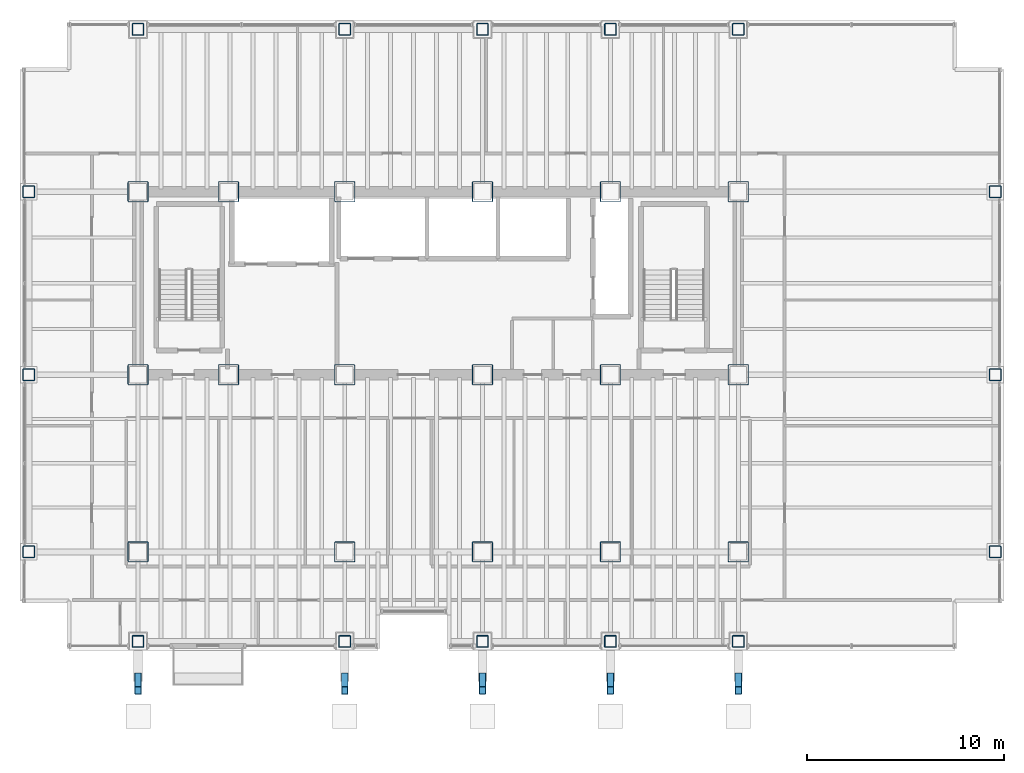
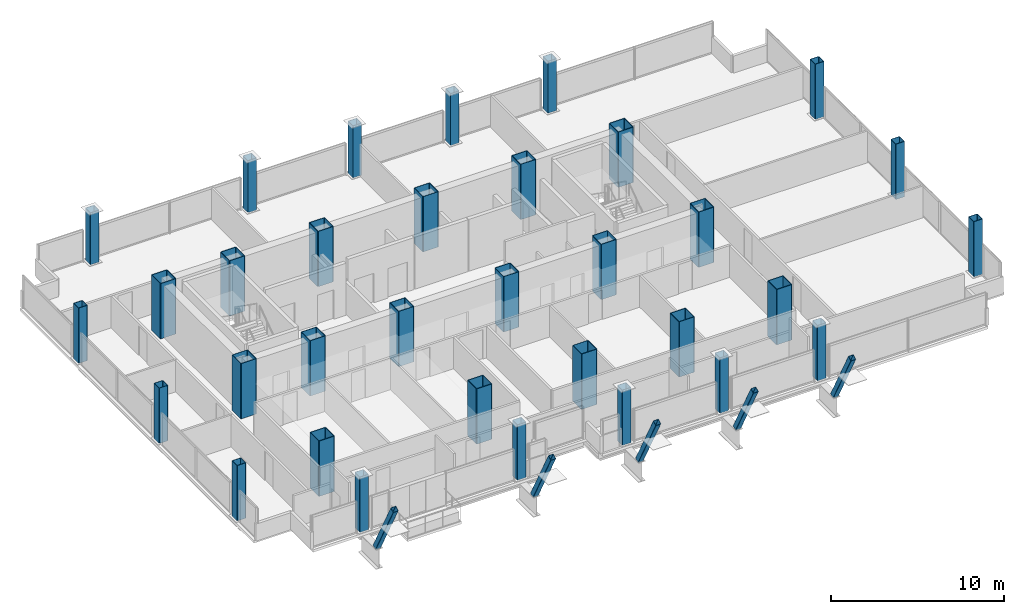
# One storey, part 1 of 21: 38 columns.
"""IFC4 building model written with IfcOpenShell, lengths in metres."""

import ifcopenshell
import ifcopenshell.guid

model = None  # the IFC model being written
_history = None  # IfcOwnerHistory: only IFC2X3 demands one
_inside = {}  # id of a spatial element -> (the spatial element, [elements in it])
_under = {}  # id of a project, library or spatial element -> (it, [spatial elements below it])
_declared = {}  # id of a project -> (the project, [libraries it declares])
_typed = {}  # id of a type object -> (the type object, [elements of that type])
_made_of = {}  # id of a material, layer set ... -> (it, [elements and type objects made of it])


def new_model(schema):
    """Start an empty IFC model of exactly this schema.

    Asked for "IFC4X3", IfcOpenShell would pick the latest addendum, in which some entities
    have other attributes; the version numbers below select the first issue.
    IFC2X3 requires an IfcOwnerHistory on every rooted entity: one is made here for all.
    """
    global model, _history
    if schema == "IFC4X3":
        model = ifcopenshell.file(schema_version=(4, 3, 0, 0))
    else:
        model = ifcopenshell.file(schema=schema)
    _inside.clear()
    _under.clear()
    _declared.clear()
    _typed.clear()
    _made_of.clear()
    _history = None
    if model.schema == "IFC2X3":
        org = make("IfcOrganization", Name="unknown")
        user = make(
            "IfcPersonAndOrganization",
            ThePerson=make("IfcPerson", FamilyName="unknown"),
            TheOrganization=org,
        )
        app = make(
            "IfcApplication",
            ApplicationDeveloper=org,
            Version="unknown",
            ApplicationFullName="unknown",
            ApplicationIdentifier="unknown",
        )
        _history = make(
            "IfcOwnerHistory",
            OwningUser=user,
            OwningApplication=app,
            ChangeAction="ADDED",
            CreationDate=0,
        )
    return model


def make(cls, **values):
    """One entity of the class cls with the attributes given. An attribute that is None is left unset."""
    return model.create_entity(
        cls, **{name: value for name, value in values.items() if value is not None}
    )


def rooted(cls, **values):
    """An entity with a GlobalId (a new one), such as an element, a storey or a relation."""
    return make(cls, GlobalId=ifcopenshell.guid.new(), OwnerHistory=_history, **values)


def si_unit(unit_type, name, prefix=None):
    """IfcSIUnit, for example si_unit("LENGTHUNIT", "METRE", prefix="MILLI")."""
    return make("IfcSIUnit", UnitType=unit_type, Prefix=prefix, Name=name)


def assignment(units):
    """IfcUnitAssignment: the units of a project."""
    return None if units is None else make("IfcUnitAssignment", Units=units)


def point(xyz):
    """IfcCartesianPoint."""
    return None if xyz is None else make("IfcCartesianPoint", Coordinates=xyz)


def direction(xyz):
    """IfcDirection."""
    return None if xyz is None else make("IfcDirection", DirectionRatios=xyz)


def frame(location, z_axis=None, x_axis=None):
    """IfcAxis2Placement3D, a coordinate frame: its origin and axes. An axis left out is left unset."""
    return make(
        "IfcAxis2Placement3D",
        Location=point(location),
        Axis=direction(z_axis),
        RefDirection=direction(x_axis),
    )


def frame_2d(location, x_axis=None):
    """IfcAxis2Placement2D, a coordinate frame in the plane: its origin and x axis."""
    return make(
        "IfcAxis2Placement2D", Location=point(location), RefDirection=direction(x_axis)
    )


def origin():
    """The frame at (0, 0, 0) with its axes left unset."""
    return frame((0.0, 0.0, 0.0))


def origin_2d():
    """The frame at (0, 0) in the plane with its x axis left unset."""
    return frame_2d((0.0, 0.0))


def place(relative_to, where):
    """IfcLocalPlacement: puts the frame where relative to a parent placement (None: the world)."""
    return make(
        "IfcLocalPlacement", PlacementRelTo=relative_to, RelativePlacement=where
    )


def context(
    kind, dimensions, precision=None, world=None, true_north=None, identifier=None
):
    """IfcGeometricRepresentationContext, for example the 3D "Model" context."""
    return make(
        "IfcGeometricRepresentationContext",
        ContextIdentifier=identifier,
        ContextType=kind,
        CoordinateSpaceDimension=dimensions,
        Precision=precision,
        WorldCoordinateSystem=world,
        TrueNorth=true_north,
    )


def subcontext(parent, identifier, kind, view, scale=None):
    """IfcGeometricRepresentationSubContext, for example "Body" below "Model"."""
    return make(
        "IfcGeometricRepresentationSubContext",
        ContextIdentifier=identifier,
        ContextType=kind,
        ParentContext=parent,
        TargetScale=scale,
        TargetView=view,
    )


def project(units=None, contexts=None):
    """IfcProject with its units and contexts."""
    return rooted(
        "IfcProject",
        Name="project",
        RepresentationContexts=contexts,
        UnitsInContext=assignment(units),
    )


def spatial(cls, under=None, at=None, **own):
    """A site, building, storey or space (cls), placed at a placement, below another one or the project."""
    s = rooted(cls, ObjectPlacement=at, **own)
    if under is not None:
        _under.setdefault(under.id(), (under, []))[1].append(s)
    return s


def profile(cls, at=None, kind="AREA", **sizes):
    """A parametric profile (cls). Its sizes go by their IFC names, for example OverallWidth=200.0."""
    return make(cls, ProfileType=kind, Position=at, **sizes)


def hollow_rectangle(**sizes):
    """IfcRectangleHollowProfileDef."""
    return profile("IfcRectangleHollowProfileDef", **sizes)


def extrude(swept, where, along, depth):
    """IfcExtrudedAreaSolid: the profile swept, set in the frame where, extruded along a direction by depth."""
    return make(
        "IfcExtrudedAreaSolid",
        SweptArea=swept,
        Position=where,
        ExtrudedDirection=direction(along),
        Depth=depth,
    )


def shape(context_of_items, identifier, shape_type, items):
    """IfcShapeRepresentation: the items that make up one representation, for example the "Body"."""
    return make(
        "IfcShapeRepresentation",
        ContextOfItems=context_of_items,
        RepresentationIdentifier=identifier,
        RepresentationType=shape_type,
        Items=items,
    )


def material(Name=None, Category=None):
    """IfcMaterial."""
    return make("IfcMaterial", Name=Name, Category=Category)


def material_profile(
    of_material, cross_section, Name=None, Category=None, Priority=None
):
    """IfcMaterialProfile: a cross section and its material."""
    return make(
        "IfcMaterialProfile",
        Name=Name,
        Material=of_material,
        Profile=cross_section,
        Priority=Priority,
        Category=Category,
    )


def profile_set(profiles, Name=None, composite=None):
    """IfcMaterialProfileSet."""
    return make(
        "IfcMaterialProfileSet",
        Name=Name,
        MaterialProfiles=profiles,
        CompositeProfile=composite,
    )


def made_of(thing, what):
    """Note that an element or type object is made of a material, layer set ...; save() writes the relation."""
    if what is not None:
        _made_of.setdefault(what.id(), (what, []))[1].append(thing)
    return thing


def type_object(cls, material=None, **own):
    """A type object (cls), such as IfcWallType, which elements share."""
    return made_of(rooted(cls, **own), material)


def element(
    cls,
    number,
    at=None,
    inside=None,
    cuts=None,
    type_object=None,
    material=None,
    context=None,
    identifier="Body",
    shape_type=None,
    held_by="IfcProductDefinitionShape",
    body=None,
    shapes=None,
    **own,
):
    """One element of the class cls, such as IfcWall. Its Tag is "e" and its number.

    at: its placement. inside: the storey or other place that contains it. cuts: it is an
    opening in that element (IfcRelVoidsElement). A single representation is given by context,
    identifier, shape_type and body (its items); several are given by shapes. held_by: the class
    of the entity that holds the representations. save() writes the other relations.
    """
    e = rooted(cls, Tag="e%d" % number, ObjectPlacement=at, **own)
    if body is not None:
        shapes = [shape(context, identifier, shape_type, body)]
    if shapes is not None:
        e.Representation = make(held_by, Representations=shapes)
    if inside is not None:
        _inside.setdefault(inside.id(), (inside, []))[1].append(e)
    if cuts is not None:
        rooted(
            "IfcRelVoidsElement", RelatingBuildingElement=cuts, RelatedOpeningElement=e
        )
    if type_object is not None:
        _typed.setdefault(type_object.id(), (type_object, []))[1].append(e)
    return made_of(e, material)


def aggregate(whole, parts):
    """IfcRelAggregates: a whole, such as a stair, and the parts it consists of."""
    return rooted("IfcRelAggregates", RelatingObject=whole, RelatedObjects=parts)


def save(model, path):
    """Write the relations noted so far, then the file.

    IfcRelAggregates (storeys below a building ...), IfcRelContainedInSpatialStructure (elements
    in a storey), IfcRelDefinesByType, IfcRelAssociatesMaterial and IfcRelDeclares: one each for
    every whole, place, type object, material and project.
    """
    for whole, parts in _under.values():
        aggregate(whole, parts)
    for where, things in _inside.values():
        rooted(
            "IfcRelContainedInSpatialStructure",
            RelatedElements=things,
            RelatingStructure=where,
        )
    for kind, things in _typed.values():
        rooted("IfcRelDefinesByType", RelatedObjects=things, RelatingType=kind)
    for what, things in _made_of.values():
        rooted("IfcRelAssociatesMaterial", RelatedObjects=things, RelatingMaterial=what)
    for by, libraries in _declared.values():
        rooted("IfcRelDeclares", RelatingContext=by, RelatedDefinitions=libraries)
    model.write(path)


model = new_model("IFC4")

# Units and contexts
model_context = context("Model", 3, precision=1e-05, world=origin(), true_north=direction((0.0, 1.0)))
body_context = subcontext(model_context, "Body", "Model", "MODEL_VIEW")
ifc_project = project(units=[si_unit("LENGTHUNIT", "METRE"), si_unit("AREAUNIT", "SQUARE_METRE"), si_unit("VOLUMEUNIT", "CUBIC_METRE"), si_unit("PLANEANGLEUNIT", "RADIAN"), si_unit("MASSUNIT", "GRAM", prefix="KILO")], contexts=[model_context])

# Site, building, storey
site_placement = place(None, origin())
site = spatial("IfcSite", under=ifc_project, at=site_placement, CompositionType="ELEMENT")
building_placement = place(site_placement, origin())
building = spatial("IfcBuilding", under=site, at=building_placement, Name="Noeulbin Bourse Tower", CompositionType="ELEMENT")
storey_placement = place(building_placement, frame((0.0, 0.0, 77.199951171875)))
storey = spatial("IfcBuildingStorey", under=building, at=storey_placement, Name="L19", CompositionType="ELEMENT", Elevation=77.199951171875)

# Columns
ifc_material_1 = material(Name="Steel S355", Category="steel")
ifc_material_profile_1 = material_profile(ifc_material_1, hollow_rectangle(XDim=0.35009765625, YDim=0.35009765625, WallThickness=0.01611328125, InnerFilletRadius=0.01611328125, OuterFilletRadius=0.031982421875, at=origin_2d()), Name="SHS-350x350x16", Category="LoadBearing")
ifc_profile_set_1 = profile_set([ifc_material_profile_1], Name="Steel S355")
column_type_1 = type_object("IfcColumnType", Name="COL-CRN-Z5", PredefinedType="COLUMN", material=ifc_profile_set_1)
for number, where, z_axis, x_axis, name in (
    (1, (13.5, 13.699951171875, -0.199951171875), (0.0, -0.469042229226, 0.883175739704), (1.0, 0.0, 0.0), "Exoskeleton Raking Prop Column L19-01"),
    (2, (24.0, 13.699951171875, -0.199951171875), (0.0, -0.469042229226, 0.883175739704), (1.0, 0.0, 0.0), "Exoskeleton Raking Prop Column L19-02"),
    (3, (31.0, 13.699951171875, -0.199951171875), (0.0, -0.469042229226, 0.883175739704), (1.0, 0.0, 0.0), "Exoskeleton Raking Prop Column L19-03"),
    (4, (37.5, 13.699951171875, -0.199951171875), (0.0, -0.469042229226, 0.883175739704), (1.0, 0.0, 0.0), "Exoskeleton Raking Prop Column L19-04"),
    (5, (44.0, 13.699951171875, -0.199951171875), (0.0, -0.469042229226, 0.883175739704), (1.0, 0.0, 0.0), "Exoskeleton Raking Prop Column L19-05"),
):
    element("IfcColumn", number, at=place(storey_placement, frame(where, z_axis=z_axis, x_axis=x_axis)), inside=storey, type_object=column_type_1, Name=name, PredefinedType="COLUMN", context=body_context, shape_type="SweptSolid", body=[
        extrude(hollow_rectangle(XDim=0.35009765625, YDim=0.35009765625, WallThickness=0.01611328125, InnerFilletRadius=0.01611328125, OuterFilletRadius=0.031982421875, at=origin_2d()), origin(), (0.0, 0.0, 1.0), 4.37060546875),
    ])
ifc_material_2 = material(Name="Steel S460", Category="steel")
ifc_material_profile_2 = material_profile(ifc_material_2, hollow_rectangle(XDim=0.60009765625, YDim=0.60009765625, WallThickness=0.02587890625, InnerFilletRadius=0.012939453125, OuterFilletRadius=0.0390625, at=origin_2d()), Name="BOX-600x600x26", Category="LoadBearing")
ifc_profile_set_2 = profile_set([ifc_material_profile_2], Name="Steel S460")
column_type_2 = type_object("IfcColumnType", Name="COL-PER-Z1", PredefinedType="COLUMN", material=ifc_profile_set_2)
for number, where, z_axis, x_axis, name in (
    (6, (7.949951171875, 20.0, 0.0), (0.0, 0.0, 1.0), (1.0, 0.0, 0.0), "Tower Perimeter Column COL-PER-Z1 01"),
    (7, (7.949951171875, 29.0, 0.0), (0.0, 0.0, 1.0), (1.0, 0.0, 0.0), "Tower Perimeter Column COL-PER-Z1 02"),
    (8, (7.949951171875, 38.300048828125, 0.0), (0.0, 0.0, 1.0), (1.0, 0.0, 0.0), "Tower Perimeter Column COL-PER-Z1 03"),
    (9, (13.5, 15.449951171875, 0.0), (0.0, 0.0, 1.0), (1.0, 0.0, 0.0), "Tower Perimeter Column COL-PER-Z1 04"),
):
    element("IfcColumn", number, at=place(storey_placement, frame(where, z_axis=z_axis, x_axis=x_axis)), inside=storey, type_object=column_type_2, Name=name, PredefinedType="COLUMN", context=body_context, shape_type="SweptSolid", body=[
        extrude(hollow_rectangle(XDim=0.60009765625, YDim=0.60009765625, WallThickness=0.02587890625, InnerFilletRadius=0.012939453125, OuterFilletRadius=0.0390625, at=origin_2d()), origin(), (0.0, 0.0, 1.0), 3.900146484375),
    ])
column_1_placement = place(storey_placement, frame((13.5, 46.550048828125, 0.0), z_axis=(0.0, 0.0, 1.0), x_axis=(1.0, 0.0, 0.0)))
element("IfcColumn", 10, at=column_1_placement, inside=storey, type_object=column_type_2, Name="Tower Perimeter Column COL-PER-Z1 05", PredefinedType="COLUMN", context=body_context, shape_type="SweptSolid", body=[
    extrude(hollow_rectangle(XDim=0.60009765625, YDim=0.60009765625, WallThickness=0.02587890625, InnerFilletRadius=0.012939453125, OuterFilletRadius=0.0390625, at=origin_2d()), origin(), (0.0, 0.0, 1.0), 3.66015625),
])
column_2_placement = place(storey_placement, frame((24.0, 15.449951171875, 0.0), z_axis=(0.0, 0.0, 1.0), x_axis=(1.0, 0.0, 0.0)))
element("IfcColumn", 11, at=column_2_placement, inside=storey, type_object=column_type_2, Name="Tower Perimeter Column COL-PER-Z1 06", PredefinedType="COLUMN", context=body_context, shape_type="SweptSolid", body=[
    extrude(hollow_rectangle(XDim=0.60009765625, YDim=0.60009765625, WallThickness=0.02587890625, InnerFilletRadius=0.012939453125, OuterFilletRadius=0.0390625, at=origin_2d()), origin(), (0.0, 0.0, 1.0), 3.900146484375),
])
column_3_placement = place(storey_placement, frame((24.0, 46.550048828125, 0.0), z_axis=(0.0, 0.0, 1.0), x_axis=(1.0, 0.0, 0.0)))
element("IfcColumn", 12, at=column_3_placement, inside=storey, type_object=column_type_2, Name="Tower Perimeter Column COL-PER-Z1 07", PredefinedType="COLUMN", context=body_context, shape_type="SweptSolid", body=[
    extrude(hollow_rectangle(XDim=0.60009765625, YDim=0.60009765625, WallThickness=0.02587890625, InnerFilletRadius=0.012939453125, OuterFilletRadius=0.0390625, at=origin_2d()), origin(), (0.0, 0.0, 1.0), 3.66015625),
])
column_4_placement = place(storey_placement, frame((31.0, 15.449951171875, 0.0), z_axis=(0.0, 0.0, 1.0), x_axis=(1.0, 0.0, 0.0)))
element("IfcColumn", 13, at=column_4_placement, inside=storey, type_object=column_type_2, Name="Tower Perimeter Column COL-PER-Z1 08", PredefinedType="COLUMN", context=body_context, shape_type="SweptSolid", body=[
    extrude(hollow_rectangle(XDim=0.60009765625, YDim=0.60009765625, WallThickness=0.02587890625, InnerFilletRadius=0.012939453125, OuterFilletRadius=0.0390625, at=origin_2d()), origin(), (0.0, 0.0, 1.0), 3.900146484375),
])
column_5_placement = place(storey_placement, frame((31.0, 46.550048828125, 0.0), z_axis=(0.0, 0.0, 1.0), x_axis=(1.0, 0.0, 0.0)))
element("IfcColumn", 14, at=column_5_placement, inside=storey, type_object=column_type_2, Name="Tower Perimeter Column COL-PER-Z1 09", PredefinedType="COLUMN", context=body_context, shape_type="SweptSolid", body=[
    extrude(hollow_rectangle(XDim=0.60009765625, YDim=0.60009765625, WallThickness=0.02587890625, InnerFilletRadius=0.012939453125, OuterFilletRadius=0.0390625, at=origin_2d()), origin(), (0.0, 0.0, 1.0), 3.66015625),
])
column_6_placement = place(storey_placement, frame((37.5, 15.449951171875, 0.0), z_axis=(0.0, 0.0, 1.0), x_axis=(1.0, 0.0, 0.0)))
element("IfcColumn", 15, at=column_6_placement, inside=storey, type_object=column_type_2, Name="Tower Perimeter Column COL-PER-Z1 10", PredefinedType="COLUMN", context=body_context, shape_type="SweptSolid", body=[
    extrude(hollow_rectangle(XDim=0.60009765625, YDim=0.60009765625, WallThickness=0.02587890625, InnerFilletRadius=0.012939453125, OuterFilletRadius=0.0390625, at=origin_2d()), origin(), (0.0, 0.0, 1.0), 3.900146484375),
])
column_7_placement = place(storey_placement, frame((37.5, 46.550048828125, 0.0), z_axis=(0.0, 0.0, 1.0), x_axis=(1.0, 0.0, 0.0)))
element("IfcColumn", 16, at=column_7_placement, inside=storey, type_object=column_type_2, Name="Tower Perimeter Column COL-PER-Z1 11", PredefinedType="COLUMN", context=body_context, shape_type="SweptSolid", body=[
    extrude(hollow_rectangle(XDim=0.60009765625, YDim=0.60009765625, WallThickness=0.02587890625, InnerFilletRadius=0.012939453125, OuterFilletRadius=0.0390625, at=origin_2d()), origin(), (0.0, 0.0, 1.0), 3.66015625),
])
column_8_placement = place(storey_placement, frame((44.0, 15.449951171875, 0.0), z_axis=(0.0, 0.0, 1.0), x_axis=(1.0, 0.0, 0.0)))
element("IfcColumn", 17, at=column_8_placement, inside=storey, type_object=column_type_2, Name="Tower Perimeter Column COL-PER-Z1 12", PredefinedType="COLUMN", context=body_context, shape_type="SweptSolid", body=[
    extrude(hollow_rectangle(XDim=0.60009765625, YDim=0.60009765625, WallThickness=0.02587890625, InnerFilletRadius=0.012939453125, OuterFilletRadius=0.0390625, at=origin_2d()), origin(), (0.0, 0.0, 1.0), 3.900146484375),
])
column_9_placement = place(storey_placement, frame((44.0, 46.550048828125, 0.0), z_axis=(0.0, 0.0, 1.0), x_axis=(1.0, 0.0, 0.0)))
element("IfcColumn", 18, at=column_9_placement, inside=storey, type_object=column_type_2, Name="Tower Perimeter Column COL-PER-Z1 13", PredefinedType="COLUMN", context=body_context, shape_type="SweptSolid", body=[
    extrude(hollow_rectangle(XDim=0.60009765625, YDim=0.60009765625, WallThickness=0.02587890625, InnerFilletRadius=0.012939453125, OuterFilletRadius=0.0390625, at=origin_2d()), origin(), (0.0, 0.0, 1.0), 3.66015625),
])
for number, where, z_axis, x_axis, name in (
    (19, (57.050048828125, 20.0, 0.0), (0.0, 0.0, 1.0), (1.0, 0.0, 0.0), "Tower Perimeter Column COL-PER-Z1 14"),
    (20, (57.050048828125, 29.0, 0.0), (0.0, 0.0, 1.0), (1.0, 0.0, 0.0), "Tower Perimeter Column COL-PER-Z1 15"),
    (21, (57.050048828125, 38.300048828125, 0.0), (0.0, 0.0, 1.0), (1.0, 0.0, 0.0), "Tower Perimeter Column COL-PER-Z1 16"),
):
    element("IfcColumn", number, at=place(storey_placement, frame(where, z_axis=z_axis, x_axis=x_axis)), inside=storey, type_object=column_type_2, Name=name, PredefinedType="COLUMN", context=body_context, shape_type="SweptSolid", body=[
        extrude(hollow_rectangle(XDim=0.60009765625, YDim=0.60009765625, WallThickness=0.02587890625, InnerFilletRadius=0.012939453125, OuterFilletRadius=0.0390625, at=origin_2d()), origin(), (0.0, 0.0, 1.0), 3.900146484375),
    ])
ifc_material_profile_3 = material_profile(ifc_material_2, hollow_rectangle(XDim=1.050048828125, YDim=1.050048828125, WallThickness=0.0380859375, InnerFilletRadius=0.01904296875, OuterFilletRadius=0.056884765625, at=origin_2d()), Name="BOX-1050x1050x38", Category="LoadBearing")
ifc_profile_set_3 = profile_set([ifc_material_profile_3], Name="Steel S460")
column_type_3 = type_object("IfcColumnType", Name="COL-TRK-Z1", PredefinedType="COLUMN", material=ifc_profile_set_3)
for number, where, z_axis, x_axis, name in (
    (22, (13.5, 29.0, 0.0), (0.0, 0.0, 1.0), (1.0, 0.0, 0.0), "Tower Trunk Mega-Column COL-TRK-Z1 01"),
    (23, (13.5, 38.300048828125, 0.0), (0.0, 0.0, 1.0), (1.0, 0.0, 0.0), "Tower Trunk Mega-Column COL-TRK-Z1 02"),
    (24, (18.10009765625, 29.0, 0.0), (0.0, 0.0, 1.0), (1.0, 0.0, 0.0), "Tower Trunk Mega-Column COL-TRK-Z1 03"),
    (25, (18.10009765625, 38.300048828125, 0.0), (0.0, 0.0, 1.0), (1.0, 0.0, 0.0), "Tower Trunk Mega-Column COL-TRK-Z1 04"),
    (26, (24.0, 29.0, 0.0), (0.0, 0.0, 1.0), (1.0, 0.0, 0.0), "Tower Trunk Mega-Column COL-TRK-Z1 05"),
    (27, (24.0, 38.300048828125, 0.0), (0.0, 0.0, 1.0), (1.0, 0.0, 0.0), "Tower Trunk Mega-Column COL-TRK-Z1 06"),
    (28, (31.0, 29.0, 0.0), (0.0, 0.0, 1.0), (1.0, 0.0, 0.0), "Tower Trunk Mega-Column COL-TRK-Z1 07"),
    (29, (31.0, 38.300048828125, 0.0), (0.0, 0.0, 1.0), (1.0, 0.0, 0.0), "Tower Trunk Mega-Column COL-TRK-Z1 08"),
    (30, (37.5, 29.0, 0.0), (0.0, 0.0, 1.0), (1.0, 0.0, 0.0), "Tower Trunk Mega-Column COL-TRK-Z1 09"),
    (31, (37.5, 38.300048828125, 0.0), (0.0, 0.0, 1.0), (1.0, 0.0, 0.0), "Tower Trunk Mega-Column COL-TRK-Z1 10"),
    (32, (44.0, 29.0, 0.0), (0.0, 0.0, 1.0), (1.0, 0.0, 0.0), "Tower Trunk Mega-Column COL-TRK-Z1 11"),
    (33, (44.0, 38.300048828125, 0.0), (0.0, 0.0, 1.0), (1.0, 0.0, 0.0), "Tower Trunk Mega-Column COL-TRK-Z1 12"),
    (34, (13.5, 20.0, 0.0), (0.0, 0.0, 1.0), (1.0, 0.0, 0.0), "Tower Trunk Mega-Column COL-TRK-Z1 13"),
    (35, (24.0, 20.0, 0.0), (0.0, 0.0, 1.0), (1.0, 0.0, 0.0), "Tower Trunk Mega-Column COL-TRK-Z1 14"),
    (36, (31.0, 20.0, 0.0), (0.0, 0.0, 1.0), (1.0, 0.0, 0.0), "Tower Trunk Mega-Column COL-TRK-Z1 15"),
    (37, (37.5, 20.0, 0.0), (0.0, 0.0, 1.0), (1.0, 0.0, 0.0), "Tower Trunk Mega-Column COL-TRK-Z1 16"),
    (38, (44.0, 20.0, 0.0), (0.0, 0.0, 1.0), (1.0, 0.0, 0.0), "Tower Trunk Mega-Column COL-TRK-Z1 17"),
):
    element("IfcColumn", number, at=place(storey_placement, frame(where, z_axis=z_axis, x_axis=x_axis)), inside=storey, type_object=column_type_3, Name=name, PredefinedType="COLUMN", context=body_context, shape_type="SweptSolid", body=[
        extrude(hollow_rectangle(XDim=1.050048828125, YDim=1.050048828125, WallThickness=0.0380859375, InnerFilletRadius=0.01904296875, OuterFilletRadius=0.056884765625, at=origin_2d()), origin(), (0.0, 0.0, 1.0), 3.900146484375),
    ])

save(model, "model.ifc")
